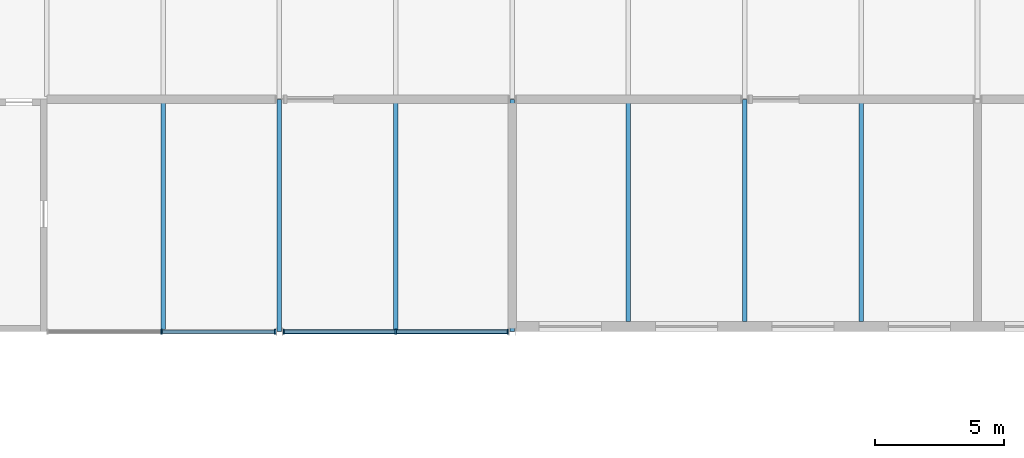
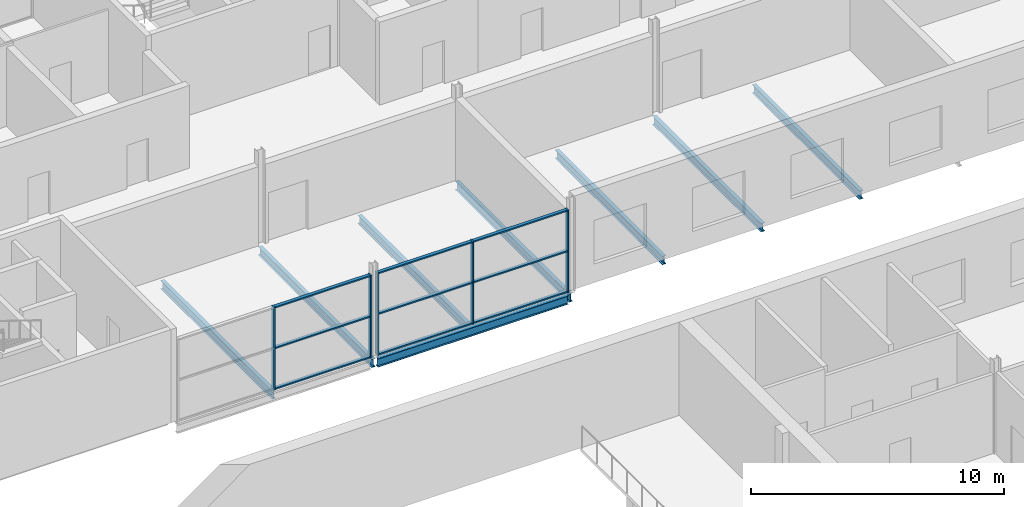
# One storey, part 56 of 97: 14 members, 8 beams, 2 elements without a shape of their own.
"""IFC4 building model written with IfcOpenShell, lengths in metres."""

from ifc_helpers import new_model, si_unit, direction, frame, origin, origin_2d, place, context, subcontext, project, spatial, rectangle, i_section, extrude, material, layer, layer_set, material_profile, profile_set, type_object, element, aggregate, save


model = new_model("IFC4")

# Units and contexts
model_context = context("Model", 3, precision=1e-05, world=origin(), true_north=direction((0.0, 1.0)))
body_context = subcontext(model_context, "Body", "Model", "MODEL_VIEW")
ifc_project = project(units=[si_unit("LENGTHUNIT", "METRE"), si_unit("AREAUNIT", "SQUARE_METRE"), si_unit("VOLUMEUNIT", "CUBIC_METRE"), si_unit("PLANEANGLEUNIT", "RADIAN"), si_unit("MASSUNIT", "GRAM", prefix="KILO")], contexts=[model_context])

# Site, building, storey
site_placement = place(None, origin())
site = spatial("IfcSite", under=ifc_project, at=site_placement, CompositionType="ELEMENT")
building_placement = place(site_placement, origin())
building = spatial("IfcBuilding", under=site, at=building_placement, Name="Corbel Yard City Hall", CompositionType="ELEMENT")
storey_placement = place(building_placement, frame((0.0, 0.0, 6.0)))
storey = spatial("IfcBuildingStorey", under=building, at=storey_placement, Name="L01", CompositionType="ELEMENT", Elevation=6.0)

# Beams
ifc_material_1 = material(Name="Steel Grade 300 (300 MPa yield)", Category="steel")
ifc_material_profile_1 = material_profile(ifc_material_1, i_section(OverallWidth=0.177978515625, OverallDepth=0.403076171875, WebThickness=0.007568359375, FlangeThickness=0.010986328125, at=origin_2d()), Name="410UB53.7")
ifc_profile_set_1 = profile_set([ifc_material_profile_1], Name="Steel Grade 300 (300 MPa yield)")
beam_type_1 = type_object("IfcBeamType", Name="Beam 410UB53.7", PredefinedType="BEAM", material=ifc_profile_set_1)
for number, where, z_axis, x_axis, name in (
    (1, (135.0, 90.005859375, -0.3515625), (0.0, 1.0, 0.0), (-1.0, 0.0, 0.0), "Beam 410UB53.7 SB6 L01floor"),
    (2, (144.0, 90.005859375, -0.3515625), (0.0, 1.0, 0.0), (-1.0, 0.0, 0.0), "Beam 410UB53.7 SB6 L01floor"),
):
    element("IfcBeam", number, at=place(storey_placement, frame(where, z_axis=z_axis, x_axis=x_axis)), inside=storey, type_object=beam_type_1, Name=name, PredefinedType="BEAM", context=body_context, shape_type="SweptSolid", body=[
        extrude(i_section(OverallWidth=0.177978515625, OverallDepth=0.403076171875, WebThickness=0.007568359375, FlangeThickness=0.010986328125, at=origin_2d()), origin(), (0.0, 0.0, 1.0), 8.986328125),
    ])
beam_1_placement = place(storey_placement, frame((153.0, 90.39990234375, -0.3515625), z_axis=(0.0, 1.0, 0.0), x_axis=(-1.0, 0.0, 0.0)))
element("IfcBeam", 3, at=beam_1_placement, inside=storey, type_object=beam_type_1, Name="Beam 410UB53.7 SB6 L01floor", PredefinedType="BEAM", context=body_context, shape_type="SweptSolid", body=[
    extrude(i_section(OverallWidth=0.177978515625, OverallDepth=0.403076171875, WebThickness=0.007568359375, FlangeThickness=0.010986328125, at=origin_2d()), origin(), (0.0, 0.0, 1.0), 8.59228515625),
])
ifc_material_profile_2 = material_profile(ifc_material_1, i_section(OverallWidth=0.177978515625, OverallDepth=0.406005859375, WebThickness=0.0078125, FlangeThickness=0.0126953125, at=origin_2d()), Name="410UB59.7")
ifc_profile_set_2 = profile_set([ifc_material_profile_2], Name="Steel Grade 300 (300 MPa yield)")
beam_type_2 = type_object("IfcBeamType", Name="Edge beam 410UB59.7", PredefinedType="BEAM", material=ifc_profile_set_2)
beam_2_placement = place(storey_placement, frame((135.157470703125, 90.0, -0.35302734375), z_axis=(1.0, 0.0, 0.0), x_axis=(0.0, 1.0, 0.0)))
element("IfcBeam", 4, at=beam_2_placement, inside=storey, type_object=beam_type_2, Name="Edge beam 410UB59.7 EB2 L01floor", PredefinedType="BEAM", context=body_context, shape_type="SweptSolid", body=[
    extrude(i_section(OverallWidth=0.177978515625, OverallDepth=0.406005859375, WebThickness=0.0078125, FlangeThickness=0.0126953125, at=origin_2d()), origin(), (0.0, 0.0, 1.0), 8.68505859375),
])

# Curtain wall, members
ifc_material_2 = material(Name="Aluminium extrusion", Category="aluminium")
ifc_layer = layer(ifc_material_2, 0.199951171875)
ifc_layer_set = layer_set([ifc_layer], Name="Aluminium extrusion")
curtain_wall_type = type_object("IfcCurtainWallType", Name="CW1", PredefinedType="USERDEFINED", material=ifc_layer_set)
curtain_wall_1_placement = place(storey_placement, origin())
curtain_wall_1 = element("IfcCurtainWall", 5, at=curtain_wall_1_placement, inside=storey, type_object=curtain_wall_type, Name="Curtain wall CW1 L01", ObjectType="CURTAIN WALL", PredefinedType="USERDEFINED")
ifc_material_profile_3 = material_profile(ifc_material_2, rectangle(XDim=0.199951171875, YDim=0.06494140625, at=origin_2d()), Name="200x65")
ifc_profile_set_3 = profile_set([ifc_material_profile_3], Name="Aluminium extrusion")
member_type_1 = type_object("IfcMemberType", Name="ML1", PredefinedType="MULLION", material=ifc_profile_set_3)
member_1_placement = place(storey_placement, frame((130.43505859375, 90.0, 0.0), z_axis=(0.0, 0.0, 1.0), x_axis=(0.0, 1.0, 0.0)))
member_1 = element("IfcMember", 6, at=member_1_placement, type_object=member_type_1, Name="CW1 mullion 2", PredefinedType="MULLION", context=body_context, shape_type="SweptSolid", body=[
    extrude(rectangle(XDim=0.199951171875, YDim=0.06494140625, at=origin_2d()), origin(), (0.0, 0.0, 1.0), 3.990966796875),
])
member_2_placement = place(storey_placement, frame((134.83740234375, 90.0, 0.0), z_axis=(0.0, 0.0, 1.0), x_axis=(0.0, 1.0, 0.0)))
member_2 = element("IfcMember", 7, at=member_2_placement, type_object=member_type_1, Name="CW1 mullion 3", PredefinedType="MULLION", context=body_context, shape_type="SweptSolid", body=[
    extrude(rectangle(XDim=0.199951171875, YDim=0.06494140625, at=origin_2d()), origin(), (0.0, 0.0, 1.0), 3.990966796875),
])

curtain_wall_2_placement = place(storey_placement, origin())
curtain_wall_2 = element("IfcCurtainWall", 8, at=curtain_wall_2_placement, inside=storey, type_object=curtain_wall_type, Name="Curtain wall CW1 L01", ObjectType="CURTAIN WALL", PredefinedType="USERDEFINED")
member_3_placement = place(storey_placement, frame((135.16259765625, 90.0, 0.0), z_axis=(0.0, 0.0, 1.0), x_axis=(0.0, 1.0, 0.0)))
member_3 = element("IfcMember", 9, at=member_3_placement, type_object=member_type_1, Name="CW1 mullion 1", PredefinedType="MULLION", context=body_context, shape_type="SweptSolid", body=[
    extrude(rectangle(XDim=0.199951171875, YDim=0.06494140625, at=origin_2d()), origin(), (0.0, 0.0, 1.0), 3.990966796875),
])
member_4_placement = place(storey_placement, frame((139.5, 90.0, 0.0), z_axis=(0.0, 0.0, 1.0), x_axis=(0.0, 1.0, 0.0)))
member_4 = element("IfcMember", 10, at=member_4_placement, type_object=member_type_1, Name="CW1 mullion 2", PredefinedType="MULLION", context=body_context, shape_type="SweptSolid", body=[
    extrude(rectangle(XDim=0.199951171875, YDim=0.06494140625, at=origin_2d()), origin(), (0.0, 0.0, 1.0), 3.990966796875),
])
member_5_placement = place(storey_placement, frame((143.83740234375, 90.0, 0.0), z_axis=(0.0, 0.0, 1.0), x_axis=(0.0, 1.0, 0.0)))
member_5 = element("IfcMember", 11, at=member_5_placement, type_object=member_type_1, Name="CW1 mullion 3", PredefinedType="MULLION", context=body_context, shape_type="SweptSolid", body=[
    extrude(rectangle(XDim=0.199951171875, YDim=0.06494140625, at=origin_2d()), origin(), (0.0, 0.0, 1.0), 3.990966796875),
])

# Beams
ifc_material_profile_4 = material_profile(ifc_material_1, i_section(OverallWidth=0.177978515625, OverallDepth=0.403076171875, WebThickness=0.007568359375, FlangeThickness=0.010986328125, at=origin_2d()), Name="410UB53.7")
ifc_profile_set_4 = profile_set([ifc_material_profile_4], Name="Steel Grade 300 (300 MPa yield)")
beam_type_3 = type_object("IfcBeamType", Name="Secondary beam 410UB53.7", PredefinedType="JOIST", material=ifc_profile_set_4)
for number, where, z_axis, x_axis, name in (
    (12, (130.5, 90.089111328125, -0.3515625), (0.0, 1.0, 0.0), (-1.0, 0.0, 0.0), "Secondary beam 410UB53.7 SB5 L01floor"),
    (13, (139.5, 90.089111328125, -0.3515625), (0.0, 1.0, 0.0), (-1.0, 0.0, 0.0), "Secondary beam 410UB53.7 SB5 L01floor"),
):
    element("IfcBeam", number, at=place(storey_placement, frame(where, z_axis=z_axis, x_axis=x_axis)), inside=storey, type_object=beam_type_3, Name=name, PredefinedType="JOIST", context=body_context, shape_type="SweptSolid", body=[
        extrude(i_section(OverallWidth=0.177978515625, OverallDepth=0.403076171875, WebThickness=0.007568359375, FlangeThickness=0.010986328125, at=origin_2d()), origin(), (0.0, 0.0, 1.0), 8.806396484375),
    ])
for number, where, z_axis, x_axis, name in (
    (14, (148.5, 90.39990234375, -0.3515625), (0.0, 1.0, 0.0), (-1.0, 0.0, 0.0), "Secondary beam 410UB53.7 SB5 L01floor"),
    (15, (157.5, 90.39990234375, -0.3515625), (0.0, 1.0, 0.0), (-1.0, 0.0, 0.0), "Secondary beam 410UB53.7 SB5 L01floor"),
):
    element("IfcBeam", number, at=place(storey_placement, frame(where, z_axis=z_axis, x_axis=x_axis)), inside=storey, type_object=beam_type_3, Name=name, PredefinedType="JOIST", context=body_context, shape_type="SweptSolid", body=[
        extrude(i_section(OverallWidth=0.177978515625, OverallDepth=0.403076171875, WebThickness=0.007568359375, FlangeThickness=0.010986328125, at=origin_2d()), origin(), (0.0, 0.0, 1.0), 8.49560546875),
    ])

# Member
ifc_material_profile_5 = material_profile(ifc_material_2, rectangle(XDim=0.14990234375, YDim=0.06494140625, at=origin_2d()), Name="150x65")
ifc_profile_set_5 = profile_set([ifc_material_profile_5], Name="Aluminium extrusion")
member_type_2 = type_object("IfcMemberType", Name="TR1", PredefinedType="USERDEFINED", material=ifc_profile_set_5)
member_6_placement = place(storey_placement, frame((130.467529296875, 90.0, 0.032470703125), z_axis=(1.0, 0.0, 0.0), x_axis=(0.0, 1.0, 0.0)))
member_6 = element("IfcMember", 16, at=member_6_placement, type_object=member_type_2, Name="CW1 transom 2.1", ObjectType="TRANSOM", PredefinedType="USERDEFINED", context=body_context, shape_type="SweptSolid", body=[
    extrude(rectangle(XDim=0.14990234375, YDim=0.06494140625, at=origin_2d()), origin(), (0.0, 0.0, 1.0), 4.33740234375),
])

member_7_placement = place(storey_placement, frame((130.467529296875, 90.0, 1.99560546875), z_axis=(1.0, 0.0, 0.0), x_axis=(0.0, 1.0, 0.0)))
member_7 = element("IfcMember", 17, at=member_7_placement, type_object=member_type_2, Name="CW1 transom 2.2", ObjectType="TRANSOM", PredefinedType="USERDEFINED", context=body_context, shape_type="SweptSolid", body=[
    extrude(rectangle(XDim=0.14990234375, YDim=0.06494140625, at=origin_2d()), origin(), (0.0, 0.0, 1.0), 4.33740234375),
])

member_8_placement = place(storey_placement, frame((130.467529296875, 90.0, 3.95849609375), z_axis=(1.0, 0.0, 0.0), x_axis=(0.0, 1.0, 0.0)))
member_8 = element("IfcMember", 18, at=member_8_placement, type_object=member_type_2, Name="CW1 transom 2.3", ObjectType="TRANSOM", PredefinedType="USERDEFINED", context=body_context, shape_type="SweptSolid", body=[
    extrude(rectangle(XDim=0.14990234375, YDim=0.06494140625, at=origin_2d()), origin(), (0.0, 0.0, 1.0), 4.33740234375),
])

aggregate(curtain_wall_1, [member_1, member_2, member_6, member_7, member_8])

member_9_placement = place(storey_placement, frame((135.195068359375, 90.0, 0.032470703125), z_axis=(1.0, 0.0, 0.0), x_axis=(0.0, 1.0, 0.0)))
member_9 = element("IfcMember", 19, at=member_9_placement, type_object=member_type_2, Name="CW1 transom 1.1", ObjectType="TRANSOM", PredefinedType="USERDEFINED", context=body_context, shape_type="SweptSolid", body=[
    extrude(rectangle(XDim=0.14990234375, YDim=0.06494140625, at=origin_2d()), origin(), (0.0, 0.0, 1.0), 4.2724609375),
])

member_10_placement = place(storey_placement, frame((135.195068359375, 90.0, 1.99560546875), z_axis=(1.0, 0.0, 0.0), x_axis=(0.0, 1.0, 0.0)))
member_10 = element("IfcMember", 20, at=member_10_placement, type_object=member_type_2, Name="CW1 transom 1.2", ObjectType="TRANSOM", PredefinedType="USERDEFINED", context=body_context, shape_type="SweptSolid", body=[
    extrude(rectangle(XDim=0.14990234375, YDim=0.06494140625, at=origin_2d()), origin(), (0.0, 0.0, 1.0), 4.2724609375),
])

member_11_placement = place(storey_placement, frame((135.195068359375, 90.0, 3.95849609375), z_axis=(1.0, 0.0, 0.0), x_axis=(0.0, 1.0, 0.0)))
member_11 = element("IfcMember", 21, at=member_11_placement, type_object=member_type_2, Name="CW1 transom 1.3", ObjectType="TRANSOM", PredefinedType="USERDEFINED", context=body_context, shape_type="SweptSolid", body=[
    extrude(rectangle(XDim=0.14990234375, YDim=0.06494140625, at=origin_2d()), origin(), (0.0, 0.0, 1.0), 4.2724609375),
])

member_12_placement = place(storey_placement, frame((139.532470703125, 90.0, 0.032470703125), z_axis=(1.0, 0.0, 0.0), x_axis=(0.0, 1.0, 0.0)))
member_12 = element("IfcMember", 22, at=member_12_placement, type_object=member_type_2, Name="CW1 transom 2.1", ObjectType="TRANSOM", PredefinedType="USERDEFINED", context=body_context, shape_type="SweptSolid", body=[
    extrude(rectangle(XDim=0.14990234375, YDim=0.06494140625, at=origin_2d()), origin(), (0.0, 0.0, 1.0), 4.2724609375),
])

member_13_placement = place(storey_placement, frame((139.532470703125, 90.0, 1.99560546875), z_axis=(1.0, 0.0, 0.0), x_axis=(0.0, 1.0, 0.0)))
member_13 = element("IfcMember", 23, at=member_13_placement, type_object=member_type_2, Name="CW1 transom 2.2", ObjectType="TRANSOM", PredefinedType="USERDEFINED", context=body_context, shape_type="SweptSolid", body=[
    extrude(rectangle(XDim=0.14990234375, YDim=0.06494140625, at=origin_2d()), origin(), (0.0, 0.0, 1.0), 4.2724609375),
])

member_14_placement = place(storey_placement, frame((139.532470703125, 90.0, 3.95849609375), z_axis=(1.0, 0.0, 0.0), x_axis=(0.0, 1.0, 0.0)))
member_14 = element("IfcMember", 24, at=member_14_placement, type_object=member_type_2, Name="CW1 transom 2.3", ObjectType="TRANSOM", PredefinedType="USERDEFINED", context=body_context, shape_type="SweptSolid", body=[
    extrude(rectangle(XDim=0.14990234375, YDim=0.06494140625, at=origin_2d()), origin(), (0.0, 0.0, 1.0), 4.2724609375),
])

aggregate(curtain_wall_2, [member_3, member_4, member_5, member_9, member_10, member_11, member_12, member_13, member_14])

save(model, "model.ifc")
